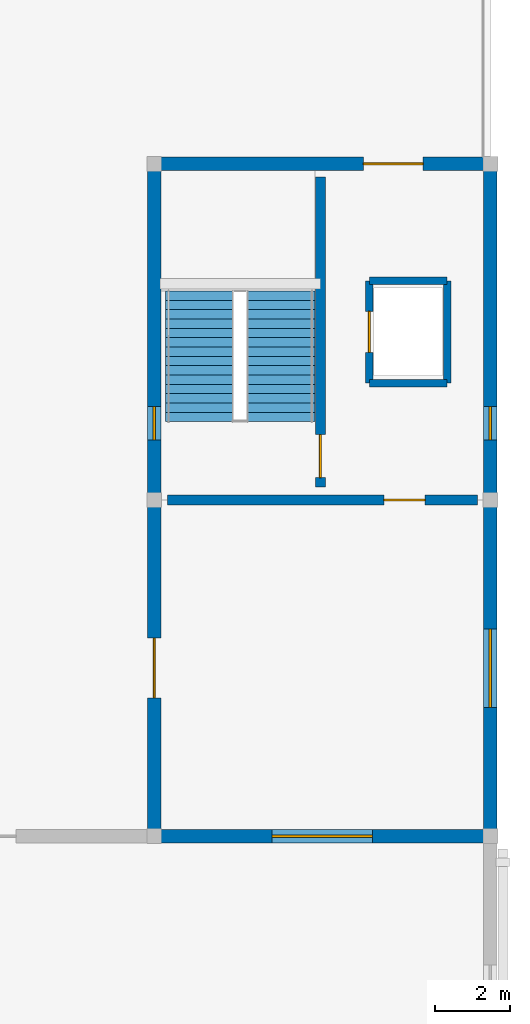
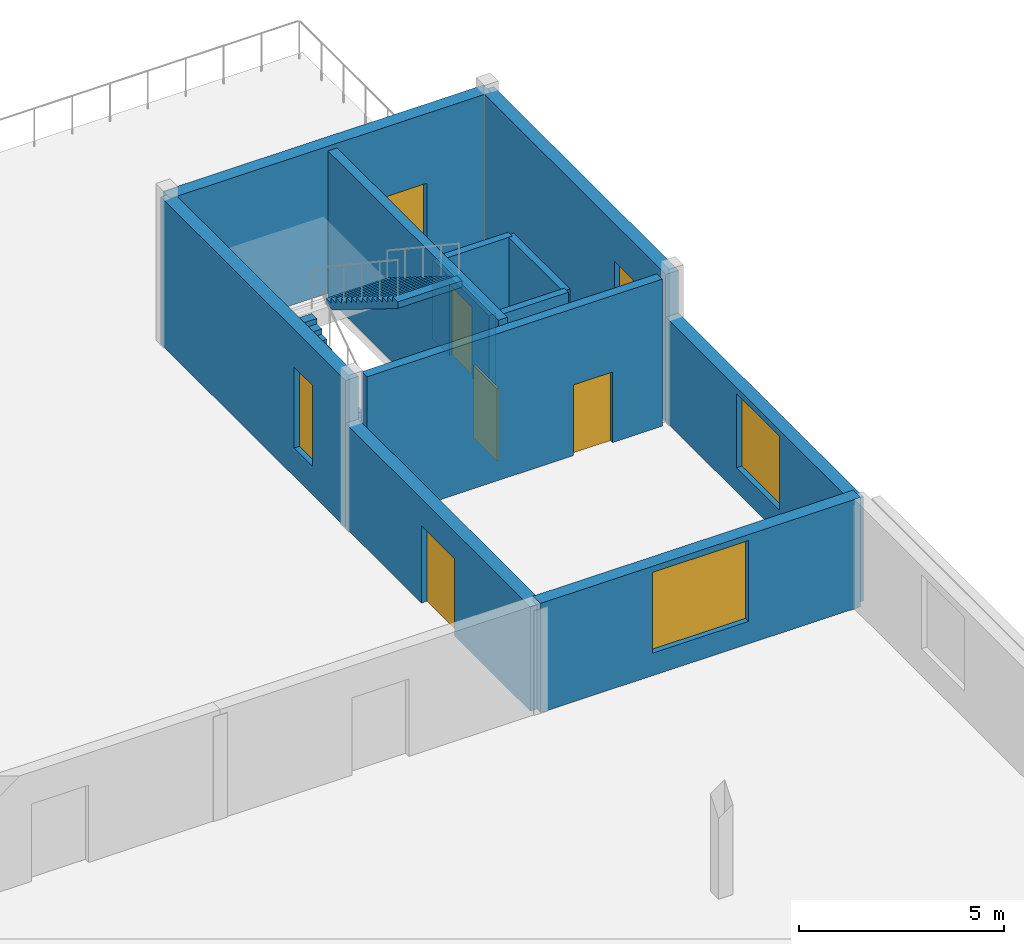
# One storey, part 25 of 30: 12 walls, 5 doors, 4 windows, 2 stair flights, 9 openings, 1 element without a shape of its own.
"""IFC4 building model written with IfcOpenShell, lengths in metres."""

from ifc_helpers import new_model, si_unit, direction, frame, frame_2d, origin, place, context, subcontext, project, spatial, polyline, rectangle, outline, extrude, material, layer, layer_set, type_object, element, fill, aggregate, save


model = new_model("IFC4")

# Units and contexts
model_context = context("Model", 3, precision=1e-05, world=origin(), true_north=direction((0.0, 1.0)))
body_context = subcontext(model_context, "Body", "Model", "MODEL_VIEW")
ifc_project = project(units=[si_unit("LENGTHUNIT", "METRE"), si_unit("AREAUNIT", "SQUARE_METRE"), si_unit("VOLUMEUNIT", "CUBIC_METRE"), si_unit("PLANEANGLEUNIT", "RADIAN"), si_unit("MASSUNIT", "GRAM", prefix="KILO")], contexts=[model_context])

# Site, building, storey
site_placement = place(None, origin())
site = spatial("IfcSite", under=ifc_project, at=site_placement, CompositionType="ELEMENT")
building_placement = place(site_placement, origin())
building = spatial("IfcBuilding", under=site, at=building_placement, Name="Ornek Quay Market", CompositionType="ELEMENT")
storey_placement = place(building_placement, frame((0.0, 0.0, 12.0)))
storey = spatial("IfcBuildingStorey", under=building, at=storey_placement, Name="L03", CompositionType="ELEMENT", Elevation=12.0)

# Wall, opening, door
ifc_material_1 = material(Name="Concrete C40/50", Category="concrete")
ifc_layer_1 = layer(ifc_material_1, 0.260009765625, Name="Concrete C40/50", Category="concrete")
ifc_layer_set_1 = layer_set([ifc_layer_1], Name="Concrete C40/50")
wall_type_1 = type_object("IfcWallType", Name="WL-CORE-260", PredefinedType="SHEAR", material=ifc_layer_set_1)
wall_1_placement = place(storey_placement, frame((175.449951171875, 92.35009765625, 0.0), z_axis=(0.0, 0.0, 1.0), x_axis=(0.0, 1.0, 0.0)))
wall_1 = element("IfcWall", 1, at=wall_1_placement, inside=storey, type_object=wall_type_1, Name="Interior wall W-CORE2-146", PredefinedType="SHEAR", context=body_context, shape_type="SweptSolid", body=[
    extrude(rectangle(XDim=8.2998046875, YDim=0.260009765625, at=frame_2d((4.14990234375, 0.0))), origin(), (0.0, 0.0, 1.0), 4.3701171875),
])
opening_1_placement = place(wall_1_placement, frame((0.25, 0.0, 0.0)))
opening_1 = element("IfcOpeningElement", 2, at=opening_1_placement, cuts=wall_1, Name="Opening FD-03-055", PredefinedType="OPENING", context=body_context, shape_type="SweptSolid", body=[
    extrude(rectangle(XDim=1.14990234375, YDim=2.14990234375, at=frame_2d((0.574951171875, 1.074951171875))), frame((0.0, 0.139892578125, 0.0), z_axis=(0.0, -1.0, 0.0), x_axis=(1.0, 0.0, 0.0)), (0.0, 0.0, 1.0), 0.280029296875),
])
ifc_material_2 = material(Name="Insulated fire-rated painted steel", Category="steel")
door_type_1 = type_object("IfcDoorType", Name="DR-FIRE-STAIR-1150x2150", OperationType="NOTDEFINED", PredefinedType="DOOR", material=ifc_material_2)
door_1_placement = place(opening_1_placement, origin())
door_1 = element("IfcDoor", 3, at=door_1_placement, inside=storey, type_object=door_type_1, Name="Interior door FD-03-055", OperationType="SINGLE_SWING_RIGHT", OverallHeight=2.14990234375, OverallWidth=1.14990234375, PredefinedType="DOOR", context=body_context, shape_type="SweptSolid", body=[
    extrude(rectangle(XDim=1.14990234375, YDim=2.14990234375, at=frame_2d((0.574951171875, 1.074951171875))), frame((0.0, 0.02490234375, 0.0), z_axis=(0.0, -1.0, 0.0), x_axis=(1.0, 0.0, 0.0)), (0.0, 0.0, 1.0), 0.050048828125),
])
fill(opening_1, door_1)

wall_2_placement = place(storey_placement, frame((171.35009765625, 92.0, 0.0), z_axis=(0.0, 0.0, 1.0), x_axis=(1.0, 0.0, 0.0)))
wall_2 = element("IfcWall", 4, at=wall_2_placement, inside=storey, type_object=wall_type_1, Name="Interior wall W-CORE2-147", PredefinedType="SHEAR", context=body_context, shape_type="SweptSolid", body=[
    extrude(rectangle(XDim=8.2998046875, YDim=0.260009765625, at=frame_2d((4.14990234375, 0.0))), origin(), (0.0, 0.0, 1.0), 4.3701171875),
])
opening_2_placement = place(wall_2_placement, frame((5.800048828125, 0.0, 0.0)))
opening_2 = element("IfcOpeningElement", 5, at=opening_2_placement, cuts=wall_2, Name="Opening FD-04-056", PredefinedType="OPENING", context=body_context, shape_type="SweptSolid", body=[
    extrude(rectangle(XDim=1.10009765625, YDim=2.10009765625, at=frame_2d((0.550048828125, 1.050048828125))), frame((0.0, 0.139892578125, 0.0), z_axis=(0.0, -1.0, 0.0), x_axis=(1.0, 0.0, 0.0)), (0.0, 0.0, 1.0), 0.280029296875),
])
door_type_2 = type_object("IfcDoorType", Name="DR-FIRE-LOBBY-1100x2100", OperationType="NOTDEFINED", PredefinedType="DOOR", material=ifc_material_2)
door_2_placement = place(opening_2_placement, origin())
door_2 = element("IfcDoor", 6, at=door_2_placement, inside=storey, type_object=door_type_2, Name="Interior door FD-04-056", OperationType="SINGLE_SWING_LEFT", OverallHeight=2.10009765625, OverallWidth=1.10009765625, PredefinedType="DOOR", context=body_context, shape_type="SweptSolid", body=[
    extrude(rectangle(XDim=1.10009765625, YDim=2.10009765625, at=frame_2d((0.550048828125, 1.050048828125))), frame((0.0, 0.02490234375, 0.0), z_axis=(0.0, -1.0, 0.0), x_axis=(1.0, 0.0, 0.0)), (0.0, 0.0, 1.0), 0.050048828125),
])
fill(opening_2, door_2)

# Wall, opening, window
ifc_material_3 = material(Name="Frost-resistant facing clay brick M200 F100", Category="masonry")
ifc_layer_2 = layer(ifc_material_3, 0.360107421875, Name="Frost-resistant facing clay brick M200 F100", Category="masonry")
ifc_layer_set_2 = layer_set([ifc_layer_2], Name="Frost-resistant facing clay brick M200 F100")
wall_type_2 = type_object("IfcWallType", Name="WL-EXT-FC-360", PredefinedType="STANDARD", material=ifc_layer_set_2)
wall_3_placement = place(storey_placement, frame((171.0, 83.0, 0.0), z_axis=(0.0, 0.0, 1.0), x_axis=(1.0, 0.0, 0.0)))
wall_3 = element("IfcWall", 7, at=wall_3_placement, inside=storey, type_object=wall_type_2, Name="Exterior wall EW-172", PredefinedType="STANDARD", context=body_context, shape_type="SweptSolid", body=[
    extrude(rectangle(XDim=9.0, YDim=0.360107421875, at=frame_2d((4.5, 0.0))), origin(), (0.0, 0.0, 1.0), 3.25),
])
opening_3_placement = place(wall_3_placement, frame((3.14990234375, 0.0, 0.669921875)))
opening_3 = element("IfcOpeningElement", 8, at=opening_3_placement, cuts=wall_3, Name="Opening W-05-142", PredefinedType="OPENING", context=body_context, shape_type="SweptSolid", body=[
    extrude(rectangle(XDim=2.699951171875, YDim=2.39990234375, at=frame_2d((1.35009765625, 1.199951171875))), frame((0.0, 0.18994140625, 0.0), z_axis=(0.0, -1.0, 0.0), x_axis=(1.0, 0.0, 0.0)), (0.0, 0.0, 1.0), 0.380126953125),
])
ifc_material_4 = material(Name="Thermally broken bronze aluminium and triple low-e glass", Category="aluminium")
window_type_1 = type_object("IfcWindowType", Name="WN-FC-2700x2400", PartitioningType="TRIPLE_PANEL_VERTICAL", PredefinedType="WINDOW", material=ifc_material_4)
window_1_placement = place(opening_3_placement, origin())
window_1 = element("IfcWindow", 9, at=window_1_placement, inside=storey, type_object=window_type_1, Name="Window W-05-142", OverallHeight=2.39990234375, OverallWidth=2.699951171875, PartitioningType="SINGLE_PANEL", PredefinedType="WINDOW", context=body_context, shape_type="SweptSolid", body=[
    extrude(rectangle(XDim=2.699951171875, YDim=2.39990234375, at=frame_2d((1.35009765625, 1.199951171875))), frame((0.0, 0.030029296875, 0.0), z_axis=(0.0, -1.0, 0.0), x_axis=(1.0, 0.0, 0.0)), (0.0, 0.0, 1.0), 0.06005859375),
])
fill(opening_3, window_1)

# Wall, opening, door
wall_4_placement = place(storey_placement, frame((171.0, 83.0, 0.0), z_axis=(0.0, 0.0, 1.0), x_axis=(0.0, 1.0, 0.0)))
wall_4 = element("IfcWall", 10, at=wall_4_placement, inside=storey, type_object=wall_type_2, Name="Exterior wall EW-177", PredefinedType="STANDARD", context=body_context, shape_type="SweptSolid", body=[
    extrude(rectangle(XDim=9.0, YDim=0.360107421875, at=frame_2d((4.5, 0.0))), origin(), (0.0, 0.0, 1.0), 3.10009765625),
])
opening_4_placement = place(wall_4_placement, frame((3.699951171875, 0.0, 0.0)))
opening_4 = element("IfcOpeningElement", 11, at=opening_4_placement, cuts=wall_4, Name="Opening ED-04-042", PredefinedType="OPENING", context=body_context, shape_type="SweptSolid", body=[
    extrude(rectangle(XDim=1.60009765625, YDim=2.300048828125, at=frame_2d((0.800048828125, 1.14990234375))), frame((0.0, 0.18994140625, 0.0), z_axis=(0.0, -1.0, 0.0), x_axis=(1.0, 0.0, 0.0)), (0.0, 0.0, 1.0), 0.380126953125),
])
ifc_material_5 = material(Name="Anodised bronze aluminium and triple glass", Category="aluminium")
door_type_3 = type_object("IfcDoorType", Name="DR-EXT-TER-1600x2300", OperationType="DOUBLE_DOOR_SINGLE_SWING", PredefinedType="DOOR", material=ifc_material_5)
door_3_placement = place(opening_4_placement, origin())
door_3 = element("IfcDoor", 12, at=door_3_placement, inside=storey, type_object=door_type_3, Name="Exterior door ED-04-042", OperationType="DOUBLE_DOOR_SINGLE_SWING", OverallHeight=2.300048828125, OverallWidth=1.60009765625, PredefinedType="DOOR", context=body_context, shape_type="SweptSolid", body=[
    extrude(rectangle(XDim=1.60009765625, YDim=2.300048828125, at=frame_2d((0.800048828125, 1.14990234375))), frame((0.0, 0.02490234375, 0.0), z_axis=(0.0, -1.0, 0.0), x_axis=(1.0, 0.0, 0.0)), (0.0, 0.0, 1.0), 0.050048828125),
])
fill(opening_4, door_3)

# Wall, opening, window
wall_5_placement = place(storey_placement, frame((180.0, 83.0, 0.0), z_axis=(0.0, 0.0, 1.0), x_axis=(0.0, 1.0, 0.0)))
wall_5 = element("IfcWall", 13, at=wall_5_placement, inside=storey, type_object=wall_type_2, Name="Exterior wall EW-178", PredefinedType="STANDARD", context=body_context, shape_type="SweptSolid", body=[
    extrude(rectangle(XDim=9.0, YDim=0.360107421875, at=frame_2d((4.5, 0.0))), origin(), (0.0, 0.0, 1.0), 3.10009765625),
])
opening_5_placement = place(wall_5_placement, frame((3.449951171875, 0.0, 0.719970703125)))
opening_5 = element("IfcOpeningElement", 14, at=opening_5_placement, cuts=wall_5, Name="Opening W-06-147", PredefinedType="OPENING", context=body_context, shape_type="SweptSolid", body=[
    extrude(rectangle(XDim=2.10009765625, YDim=2.199951171875, at=frame_2d((1.050048828125, 1.10009765625))), frame((0.0, 0.18994140625, 0.0), z_axis=(0.0, -1.0, 0.0), x_axis=(1.0, 0.0, 0.0)), (0.0, 0.0, 1.0), 0.380126953125),
])
window_type_2 = type_object("IfcWindowType", Name="WN-FC-2100x2200", PartitioningType="DOUBLE_PANEL_VERTICAL", PredefinedType="WINDOW", material=ifc_material_4)
window_2_placement = place(opening_5_placement, origin())
window_2 = element("IfcWindow", 15, at=window_2_placement, inside=storey, type_object=window_type_2, Name="Window W-06-147", OverallHeight=2.199951171875, OverallWidth=2.10009765625, PartitioningType="SINGLE_PANEL", PredefinedType="WINDOW", context=body_context, shape_type="SweptSolid", body=[
    extrude(rectangle(XDim=2.10009765625, YDim=2.199951171875, at=frame_2d((1.050048828125, 1.10009765625))), frame((0.0, 0.030029296875, 0.0), z_axis=(0.0, -1.0, 0.0), x_axis=(1.0, 0.0, 0.0)), (0.0, 0.0, 1.0), 0.06005859375),
])
fill(opening_5, window_2)

# Wall, opening, door
wall_6_placement = place(storey_placement, frame((171.0, 101.0, 0.0), z_axis=(0.0, 0.0, 1.0), x_axis=(1.0, 0.0, 0.0)))
wall_6 = element("IfcWall", 16, at=wall_6_placement, inside=storey, type_object=wall_type_2, Name="Exterior wall EW-179", PredefinedType="STANDARD", context=body_context, shape_type="SweptSolid", body=[
    extrude(rectangle(XDim=9.0, YDim=0.360107421875, at=frame_2d((4.5, 0.0))), origin(), (0.0, 0.0, 1.0), 4.3701171875),
])
opening_6_placement = place(wall_6_placement, frame((5.60009765625, 0.0, 0.0)))
opening_6 = element("IfcOpeningElement", 17, at=opening_6_placement, cuts=wall_6, Name="Opening ED-04-043", PredefinedType="OPENING", context=body_context, shape_type="SweptSolid", body=[
    extrude(rectangle(XDim=1.60009765625, YDim=2.300048828125, at=frame_2d((0.800048828125, 1.14990234375))), frame((0.0, 0.18994140625, 0.0), z_axis=(0.0, -1.0, 0.0), x_axis=(1.0, 0.0, 0.0)), (0.0, 0.0, 1.0), 0.380126953125),
])
door_4_placement = place(opening_6_placement, origin())
door_4 = element("IfcDoor", 18, at=door_4_placement, inside=storey, type_object=door_type_3, Name="Exterior door ED-04-043", OperationType="DOUBLE_DOOR_SINGLE_SWING", OverallHeight=2.300048828125, OverallWidth=1.60009765625, PredefinedType="DOOR", context=body_context, shape_type="SweptSolid", body=[
    extrude(rectangle(XDim=1.60009765625, YDim=2.300048828125, at=frame_2d((0.800048828125, 1.14990234375))), frame((0.0, 0.02490234375, 0.0), z_axis=(0.0, -1.0, 0.0), x_axis=(1.0, 0.0, 0.0)), (0.0, 0.0, 1.0), 0.050048828125),
])
fill(opening_6, door_4)

# Wall, opening, window
wall_7_placement = place(storey_placement, frame((171.0, 92.0, 0.0), z_axis=(0.0, 0.0, 1.0), x_axis=(0.0, 1.0, 0.0)))
wall_7 = element("IfcWall", 19, at=wall_7_placement, inside=storey, type_object=wall_type_2, Name="Exterior wall EW-180", PredefinedType="STANDARD", context=body_context, shape_type="SweptSolid", body=[
    extrude(rectangle(XDim=9.0, YDim=0.360107421875, at=frame_2d((4.5, 0.0))), origin(), (0.0, 0.0, 1.0), 4.3701171875),
])
opening_7_placement = place(wall_7_placement, frame((1.60009765625, 0.0, 0.85009765625)))
opening_7 = element("IfcOpeningElement", 20, at=opening_7_placement, cuts=wall_7, Name="Opening W-17-148", PredefinedType="OPENING", context=body_context, shape_type="SweptSolid", body=[
    extrude(rectangle(XDim=0.89990234375, YDim=2.39990234375, at=frame_2d((0.449951171875, 1.199951171875))), frame((0.0, 0.18994140625, 0.0), z_axis=(0.0, -1.0, 0.0), x_axis=(1.0, 0.0, 0.0)), (0.0, 0.0, 1.0), 0.380126953125),
])
window_type_3 = type_object("IfcWindowType", Name="WN-CORE-900x2400", PartitioningType="SINGLE_PANEL", PredefinedType="WINDOW", material=ifc_material_4)
window_3_placement = place(opening_7_placement, origin())
window_3 = element("IfcWindow", 21, at=window_3_placement, inside=storey, type_object=window_type_3, Name="Window W-17-148", OverallHeight=2.39990234375, OverallWidth=0.89990234375, PartitioningType="SINGLE_PANEL", PredefinedType="WINDOW", context=body_context, shape_type="SweptSolid", body=[
    extrude(rectangle(XDim=0.89990234375, YDim=2.39990234375, at=frame_2d((0.449951171875, 1.199951171875))), frame((0.0, 0.030029296875, 0.0), z_axis=(0.0, -1.0, 0.0), x_axis=(1.0, 0.0, 0.0)), (0.0, 0.0, 1.0), 0.06005859375),
])
fill(opening_7, window_3)

wall_8_placement = place(storey_placement, frame((180.0, 92.0, 0.0), z_axis=(0.0, 0.0, 1.0), x_axis=(0.0, 1.0, 0.0)))
wall_8 = element("IfcWall", 22, at=wall_8_placement, inside=storey, type_object=wall_type_2, Name="Exterior wall EW-181", PredefinedType="STANDARD", context=body_context, shape_type="SweptSolid", body=[
    extrude(rectangle(XDim=9.0, YDim=0.360107421875, at=frame_2d((4.5, 0.0))), origin(), (0.0, 0.0, 1.0), 4.3701171875),
])
opening_8_placement = place(wall_8_placement, frame((1.60009765625, 0.0, 0.85009765625)))
opening_8 = element("IfcOpeningElement", 23, at=opening_8_placement, cuts=wall_8, Name="Opening W-17-149", PredefinedType="OPENING", context=body_context, shape_type="SweptSolid", body=[
    extrude(rectangle(XDim=0.89990234375, YDim=2.39990234375, at=frame_2d((0.449951171875, 1.199951171875))), frame((0.0, 0.18994140625, 0.0), z_axis=(0.0, -1.0, 0.0), x_axis=(1.0, 0.0, 0.0)), (0.0, 0.0, 1.0), 0.380126953125),
])
window_4_placement = place(opening_8_placement, origin())
window_4 = element("IfcWindow", 24, at=window_4_placement, inside=storey, type_object=window_type_3, Name="Window W-17-149", OverallHeight=2.39990234375, OverallWidth=0.89990234375, PartitioningType="SINGLE_PANEL", PredefinedType="WINDOW", context=body_context, shape_type="SweptSolid", body=[
    extrude(rectangle(XDim=0.89990234375, YDim=2.39990234375, at=frame_2d((0.449951171875, 1.199951171875))), frame((0.0, 0.030029296875, 0.0), z_axis=(0.0, -1.0, 0.0), x_axis=(1.0, 0.0, 0.0)), (0.0, 0.0, 1.0), 0.06005859375),
])
fill(opening_8, window_4)

# Wall, opening, door
ifc_material_6 = material(Name="Concrete C35/45", Category="concrete")
ifc_layer_3 = layer(ifc_material_6, 0.199951171875, Name="Concrete C35/45", Category="concrete")
ifc_layer_set_3 = layer_set([ifc_layer_3], Name="Concrete C35/45")
wall_type_3 = type_object("IfcWallType", Name="WL-SHAFT-200", PredefinedType="SOLIDWALL", material=ifc_layer_set_3)
wall_9_placement = place(storey_placement, frame((176.760009765625, 95.1298828125, 0.0), z_axis=(0.0, 0.0, 1.0), x_axis=(0.0, 1.0, 0.0)))
wall_9 = element("IfcWall", 25, at=wall_9_placement, inside=storey, type_object=wall_type_3, Name="Interior wall W-CORE3-148", PredefinedType="SOLIDWALL", context=body_context, shape_type="SweptSolid", body=[
    extrude(rectangle(XDim=2.740234375, YDim=0.199951171875, at=frame_2d((1.3701171875, 0.0))), origin(), (0.0, 0.0, 1.0), 2.35009765625),
])
opening_9_placement = place(wall_9_placement, frame((0.820068359375, 0.0, 0.0)))
opening_9 = element("IfcOpeningElement", 26, at=opening_9_placement, cuts=wall_9, Name="Opening LD-01-057", PredefinedType="OPENING", context=body_context, shape_type="SweptSolid", body=[
    extrude(rectangle(XDim=1.10009765625, YDim=2.10009765625, at=frame_2d((0.550048828125, 1.050048828125))), frame((0.0, 0.10986328125, 0.0), z_axis=(0.0, -1.0, 0.0), x_axis=(1.0, 0.0, 0.0)), (0.0, 0.0, 1.0), 0.219970703125),
])
ifc_material_7 = material(Name="Brushed stainless steel landing door", Category="steel")
door_type_4 = type_object("IfcDoorType", Name="DR-LIFT-1100x2100", OperationType="SLIDING_TO_LEFT", PredefinedType="DOOR", material=ifc_material_7)
door_5_placement = place(opening_9_placement, origin())
door_5 = element("IfcDoor", 27, at=door_5_placement, inside=storey, type_object=door_type_4, Name="Interior door LD-01-057", OperationType="SLIDING_TO_LEFT", OverallHeight=2.10009765625, OverallWidth=1.10009765625, PredefinedType="DOOR", context=body_context, shape_type="SweptSolid", body=[
    extrude(rectangle(XDim=1.10009765625, YDim=2.10009765625, at=frame_2d((0.550048828125, 1.050048828125))), frame((0.0, 0.02490234375, 0.0), z_axis=(0.0, -1.0, 0.0), x_axis=(1.0, 0.0, 0.0)), (0.0, 0.0, 1.0), 0.050048828125),
])
fill(opening_9, door_5)

# Walls
for number, where, z_axis, x_axis, name in (
    (28, (176.760009765625, 95.1298828125, 0.0), (0.0, 0.0, 1.0), (1.0, 0.0, 0.0), "Interior wall W-CORE3-149"),
    (29, (176.760009765625, 97.8701171875, 0.0), (0.0, 0.0, 1.0), (1.0, 0.0, 0.0), "Interior wall W-CORE3-150"),
):
    element("IfcWall", number, at=place(storey_placement, frame(where, z_axis=z_axis, x_axis=x_axis)), inside=storey, type_object=wall_type_3, Name=name, PredefinedType="SOLIDWALL", context=body_context, shape_type="SweptSolid", body=[
        extrude(rectangle(XDim=2.080078125, YDim=0.199951171875, at=frame_2d((1.0400390625, 0.0))), origin(), (0.0, 0.0, 1.0), 2.35009765625),
    ])
wall_10_placement = place(storey_placement, frame((178.840087890625, 95.1298828125, 0.0), z_axis=(0.0, 0.0, 1.0), x_axis=(0.0, 1.0, 0.0)))
element("IfcWall", 30, at=wall_10_placement, inside=storey, type_object=wall_type_3, Name="Interior wall W-CORE3-151", PredefinedType="SOLIDWALL", context=body_context, shape_type="SweptSolid", body=[
    extrude(rectangle(XDim=2.740234375, YDim=0.199951171875, at=frame_2d((1.3701171875, 0.0))), origin(), (0.0, 0.0, 1.0), 2.35009765625),
])

# Stair, stair flights
ifc_material_8 = material(Name="Precast concrete C40/50", Category="concrete")
stair_type = type_object("IfcStairType", Name="ST-CORE-L03-RF", PredefinedType="HALF_TURN_STAIR", material=ifc_material_8)
stair_placement = place(storey_placement, origin())
stair = element("IfcStair", 31, at=stair_placement, inside=storey, type_object=stair_type, Name="Core stair ST-05-L03 (L03 to ROOF)", PredefinedType="HALF_TURN_STAIR")
stair_flight_type = type_object("IfcStairFlightType", Name="STF-1800-WAIST200", PredefinedType="STRAIGHT", material=ifc_material_8)
stair_flight_1_placement = place(storey_placement, frame((172.199951171875, 94.095947265625, 0.0), z_axis=(0.0, 0.0, 1.0), x_axis=(0.0, 1.0, 0.0)))
stair_flight_1 = element("IfcStairFlight", 32, at=stair_flight_1_placement, type_object=stair_flight_type, Name="ST-05-L03 flight 1", NumberOfRisers=15, NumberOfTreads=14, PredefinedType="STRAIGHT", RiserHeight=0.155, TreadLength=0.25, context=body_context, shape_type="SweptSolid", body=[
    extrude(outline(polyline([(0.0, 0.0), (0.0, 0.155029296875), (0.25, 0.155029296875), (0.25, 0.31005859375), (0.5, 0.31005859375), (0.5, 0.465087890625), (0.75, 0.465087890625), (0.75, 0.6201171875), (1.0, 0.6201171875), (1.0, 0.77490234375), (1.25, 0.77490234375), (1.25, 0.929931640625), (1.5, 0.929931640625), (1.5, 1.0849609375), (1.75, 1.0849609375), (1.75, 1.239990234375), (2.0, 1.239990234375), (2.0, 1.39501953125), (2.25, 1.39501953125), (2.25, 1.550048828125), (2.5, 1.550048828125), (2.5, 1.705078125), (2.75, 1.705078125), (2.75, 1.860107421875), (3.0, 1.860107421875), (3.0, 2.014892578125), (3.25, 2.014892578125), (3.25, 2.169921875), (3.5, 2.169921875), (3.5, 2.324951171875), (3.5, 1.975830078125), (0.313232421875, 0.0), (0.0, 0.0)])), frame((0.0, 0.89990234375, 0.0), z_axis=(0.0, -1.0, 0.0), x_axis=(1.0, 0.0, 0.0)), (0.0, 0.0, 1.0), 1.800048828125),
])
stair_flight_2_placement = place(storey_placement, frame((174.39990234375, 97.595947265625, 2.324951171875), z_axis=(0.0, 0.0, 1.0), x_axis=(0.0, -1.0, 0.0)))
stair_flight_2 = element("IfcStairFlight", 33, at=stair_flight_2_placement, type_object=stair_flight_type, Name="ST-05-L03 flight 2", NumberOfRisers=15, NumberOfTreads=14, PredefinedType="STRAIGHT", RiserHeight=0.155, TreadLength=0.25, context=body_context, shape_type="SweptSolid", body=[
    extrude(outline(polyline([(0.0, 0.0), (0.0, 0.155029296875), (0.25, 0.155029296875), (0.25, 0.31005859375), (0.5, 0.31005859375), (0.5, 0.465087890625), (0.75, 0.465087890625), (0.75, 0.6201171875), (1.0, 0.6201171875), (1.0, 0.77490234375), (1.25, 0.77490234375), (1.25, 0.929931640625), (1.5, 0.929931640625), (1.5, 1.0849609375), (1.75, 1.0849609375), (1.75, 1.239990234375), (2.0, 1.239990234375), (2.0, 1.39501953125), (2.25, 1.39501953125), (2.25, 1.550048828125), (2.5, 1.550048828125), (2.5, 1.705078125), (2.75, 1.705078125), (2.75, 1.860107421875), (3.0, 1.860107421875), (3.0, 2.014892578125), (3.25, 2.014892578125), (3.25, 2.169921875), (3.5, 2.169921875), (3.5, 2.324951171875), (3.5, 1.975830078125), (0.313232421875, 0.0), (0.0, 0.0)])), frame((0.0, 0.89990234375, 0.0), z_axis=(0.0, -1.0, 0.0), x_axis=(1.0, 0.0, 0.0)), (0.0, 0.0, 1.0), 1.800048828125),
])
aggregate(stair, [stair_flight_1, stair_flight_2])

save(model, "model.ifc")
